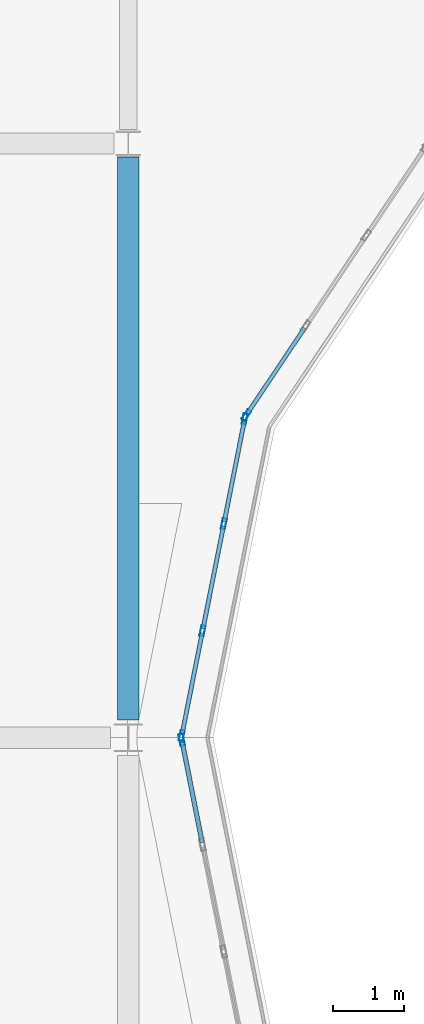
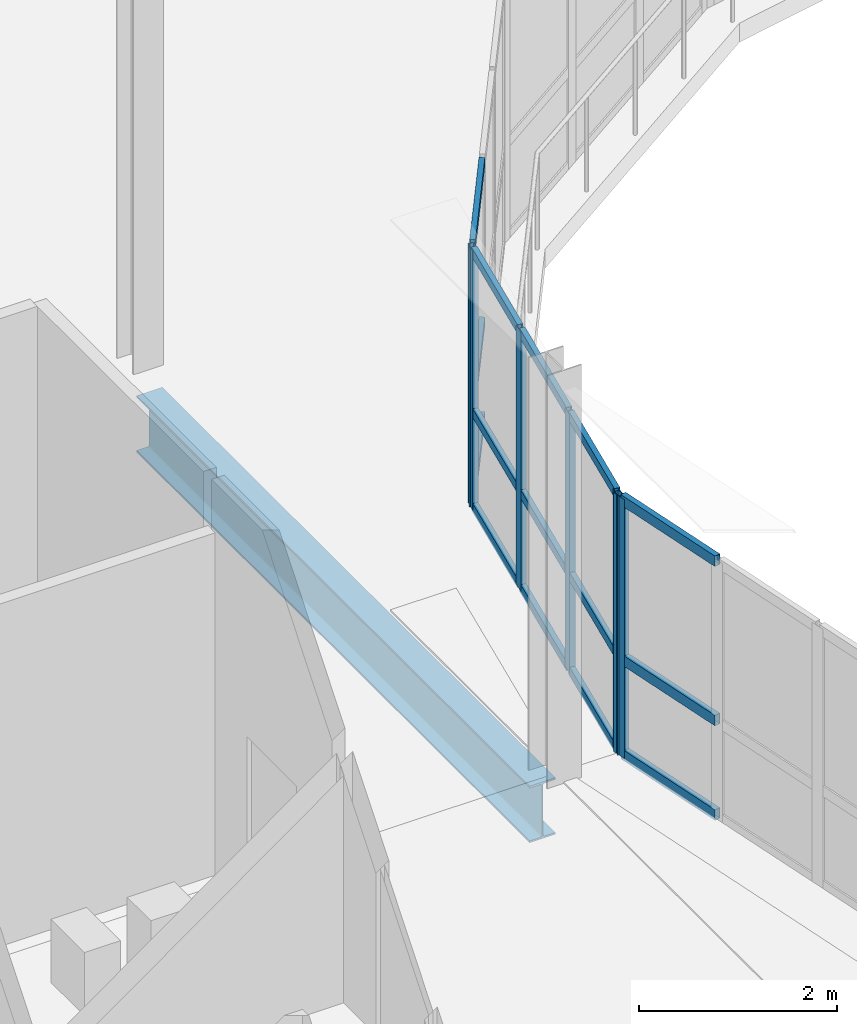
# One storey, part 17 of 103: 21 members, 1 beam, 3 elements without a shape of their own.
"""IFC4 building model written with IfcOpenShell, lengths in metres."""

import ifcopenshell
import ifcopenshell.guid

model = None  # the IFC model being written
_history = None  # IfcOwnerHistory: only IFC2X3 demands one
_inside = {}  # id of a spatial element -> (the spatial element, [elements in it])
_under = {}  # id of a project, library or spatial element -> (it, [spatial elements below it])
_declared = {}  # id of a project -> (the project, [libraries it declares])
_typed = {}  # id of a type object -> (the type object, [elements of that type])
_made_of = {}  # id of a material, layer set ... -> (it, [elements and type objects made of it])


def new_model(schema):
    """Start an empty IFC model of exactly this schema.

    Asked for "IFC4X3", IfcOpenShell would pick the latest addendum, in which some entities
    have other attributes; the version numbers below select the first issue.
    IFC2X3 requires an IfcOwnerHistory on every rooted entity: one is made here for all.
    """
    global model, _history
    if schema == "IFC4X3":
        model = ifcopenshell.file(schema_version=(4, 3, 0, 0))
    else:
        model = ifcopenshell.file(schema=schema)
    _inside.clear()
    _under.clear()
    _declared.clear()
    _typed.clear()
    _made_of.clear()
    _history = None
    if model.schema == "IFC2X3":
        org = make("IfcOrganization", Name="unknown")
        user = make(
            "IfcPersonAndOrganization",
            ThePerson=make("IfcPerson", FamilyName="unknown"),
            TheOrganization=org,
        )
        app = make(
            "IfcApplication",
            ApplicationDeveloper=org,
            Version="unknown",
            ApplicationFullName="unknown",
            ApplicationIdentifier="unknown",
        )
        _history = make(
            "IfcOwnerHistory",
            OwningUser=user,
            OwningApplication=app,
            ChangeAction="ADDED",
            CreationDate=0,
        )
    return model


def make(cls, **values):
    """One entity of the class cls with the attributes given. An attribute that is None is left unset."""
    return model.create_entity(
        cls, **{name: value for name, value in values.items() if value is not None}
    )


def rooted(cls, **values):
    """An entity with a GlobalId (a new one), such as an element, a storey or a relation."""
    return make(cls, GlobalId=ifcopenshell.guid.new(), OwnerHistory=_history, **values)


def si_unit(unit_type, name, prefix=None):
    """IfcSIUnit, for example si_unit("LENGTHUNIT", "METRE", prefix="MILLI")."""
    return make("IfcSIUnit", UnitType=unit_type, Prefix=prefix, Name=name)


def assignment(units):
    """IfcUnitAssignment: the units of a project."""
    return None if units is None else make("IfcUnitAssignment", Units=units)


def point(xyz):
    """IfcCartesianPoint."""
    return None if xyz is None else make("IfcCartesianPoint", Coordinates=xyz)


def direction(xyz):
    """IfcDirection."""
    return None if xyz is None else make("IfcDirection", DirectionRatios=xyz)


def frame(location, z_axis=None, x_axis=None):
    """IfcAxis2Placement3D, a coordinate frame: its origin and axes. An axis left out is left unset."""
    return make(
        "IfcAxis2Placement3D",
        Location=point(location),
        Axis=direction(z_axis),
        RefDirection=direction(x_axis),
    )


def frame_2d(location, x_axis=None):
    """IfcAxis2Placement2D, a coordinate frame in the plane: its origin and x axis."""
    return make(
        "IfcAxis2Placement2D", Location=point(location), RefDirection=direction(x_axis)
    )


def origin():
    """The frame at (0, 0, 0) with its axes left unset."""
    return frame((0.0, 0.0, 0.0))


def origin_2d():
    """The frame at (0, 0) in the plane with its x axis left unset."""
    return frame_2d((0.0, 0.0))


def place(relative_to, where):
    """IfcLocalPlacement: puts the frame where relative to a parent placement (None: the world)."""
    return make(
        "IfcLocalPlacement", PlacementRelTo=relative_to, RelativePlacement=where
    )


def context(
    kind, dimensions, precision=None, world=None, true_north=None, identifier=None
):
    """IfcGeometricRepresentationContext, for example the 3D "Model" context."""
    return make(
        "IfcGeometricRepresentationContext",
        ContextIdentifier=identifier,
        ContextType=kind,
        CoordinateSpaceDimension=dimensions,
        Precision=precision,
        WorldCoordinateSystem=world,
        TrueNorth=true_north,
    )


def subcontext(parent, identifier, kind, view, scale=None):
    """IfcGeometricRepresentationSubContext, for example "Body" below "Model"."""
    return make(
        "IfcGeometricRepresentationSubContext",
        ContextIdentifier=identifier,
        ContextType=kind,
        ParentContext=parent,
        TargetScale=scale,
        TargetView=view,
    )


def project(units=None, contexts=None):
    """IfcProject with its units and contexts."""
    return rooted(
        "IfcProject",
        Name="project",
        RepresentationContexts=contexts,
        UnitsInContext=assignment(units),
    )


def spatial(cls, under=None, at=None, **own):
    """A site, building, storey or space (cls), placed at a placement, below another one or the project."""
    s = rooted(cls, ObjectPlacement=at, **own)
    if under is not None:
        _under.setdefault(under.id(), (under, []))[1].append(s)
    return s


def profile(cls, at=None, kind="AREA", **sizes):
    """A parametric profile (cls). Its sizes go by their IFC names, for example OverallWidth=200.0."""
    return make(cls, ProfileType=kind, Position=at, **sizes)


def hollow_rectangle(**sizes):
    """IfcRectangleHollowProfileDef."""
    return profile("IfcRectangleHollowProfileDef", **sizes)


def i_section(**sizes):
    """IfcIShapeProfileDef."""
    return profile("IfcIShapeProfileDef", **sizes)


def extrude(swept, where, along, depth):
    """IfcExtrudedAreaSolid: the profile swept, set in the frame where, extruded along a direction by depth."""
    return make(
        "IfcExtrudedAreaSolid",
        SweptArea=swept,
        Position=where,
        ExtrudedDirection=direction(along),
        Depth=depth,
    )


def shape(context_of_items, identifier, shape_type, items):
    """IfcShapeRepresentation: the items that make up one representation, for example the "Body"."""
    return make(
        "IfcShapeRepresentation",
        ContextOfItems=context_of_items,
        RepresentationIdentifier=identifier,
        RepresentationType=shape_type,
        Items=items,
    )


def material(Name=None, Category=None):
    """IfcMaterial."""
    return make("IfcMaterial", Name=Name, Category=Category)


def layer(
    of_material, thickness, ventilated=None, Name=None, Category=None, Priority=None
):
    """IfcMaterialLayer: one layer of a wall or slab, of a material (None: an air gap)."""
    return make(
        "IfcMaterialLayer",
        Material=of_material,
        LayerThickness=thickness,
        IsVentilated=ventilated,
        Name=Name,
        Category=Category,
        Priority=Priority,
    )


def layer_set(layers, Name=None):
    """IfcMaterialLayerSet."""
    return make("IfcMaterialLayerSet", MaterialLayers=layers, LayerSetName=Name)


def material_profile(
    of_material, cross_section, Name=None, Category=None, Priority=None
):
    """IfcMaterialProfile: a cross section and its material."""
    return make(
        "IfcMaterialProfile",
        Name=Name,
        Material=of_material,
        Profile=cross_section,
        Priority=Priority,
        Category=Category,
    )


def profile_set(profiles, Name=None, composite=None):
    """IfcMaterialProfileSet."""
    return make(
        "IfcMaterialProfileSet",
        Name=Name,
        MaterialProfiles=profiles,
        CompositeProfile=composite,
    )


def made_of(thing, what):
    """Note that an element or type object is made of a material, layer set ...; save() writes the relation."""
    if what is not None:
        _made_of.setdefault(what.id(), (what, []))[1].append(thing)
    return thing


def type_object(cls, material=None, **own):
    """A type object (cls), such as IfcWallType, which elements share."""
    return made_of(rooted(cls, **own), material)


def element(
    cls,
    number,
    at=None,
    inside=None,
    cuts=None,
    type_object=None,
    material=None,
    context=None,
    identifier="Body",
    shape_type=None,
    held_by="IfcProductDefinitionShape",
    body=None,
    shapes=None,
    **own,
):
    """One element of the class cls, such as IfcWall. Its Tag is "e" and its number.

    at: its placement. inside: the storey or other place that contains it. cuts: it is an
    opening in that element (IfcRelVoidsElement). A single representation is given by context,
    identifier, shape_type and body (its items); several are given by shapes. held_by: the class
    of the entity that holds the representations. save() writes the other relations.
    """
    e = rooted(cls, Tag="e%d" % number, ObjectPlacement=at, **own)
    if body is not None:
        shapes = [shape(context, identifier, shape_type, body)]
    if shapes is not None:
        e.Representation = make(held_by, Representations=shapes)
    if inside is not None:
        _inside.setdefault(inside.id(), (inside, []))[1].append(e)
    if cuts is not None:
        rooted(
            "IfcRelVoidsElement", RelatingBuildingElement=cuts, RelatedOpeningElement=e
        )
    if type_object is not None:
        _typed.setdefault(type_object.id(), (type_object, []))[1].append(e)
    return made_of(e, material)


def aggregate(whole, parts):
    """IfcRelAggregates: a whole, such as a stair, and the parts it consists of."""
    return rooted("IfcRelAggregates", RelatingObject=whole, RelatedObjects=parts)


def save(model, path):
    """Write the relations noted so far, then the file.

    IfcRelAggregates (storeys below a building ...), IfcRelContainedInSpatialStructure (elements
    in a storey), IfcRelDefinesByType, IfcRelAssociatesMaterial and IfcRelDeclares: one each for
    every whole, place, type object, material and project.
    """
    for whole, parts in _under.values():
        aggregate(whole, parts)
    for where, things in _inside.values():
        rooted(
            "IfcRelContainedInSpatialStructure",
            RelatedElements=things,
            RelatingStructure=where,
        )
    for kind, things in _typed.values():
        rooted("IfcRelDefinesByType", RelatedObjects=things, RelatingType=kind)
    for what, things in _made_of.values():
        rooted("IfcRelAssociatesMaterial", RelatedObjects=things, RelatingMaterial=what)
    for by, libraries in _declared.values():
        rooted("IfcRelDeclares", RelatingContext=by, RelatedDefinitions=libraries)
    model.write(path)


model = new_model("IFC4")

# Units and contexts
model_context = context("Model", 3, precision=1e-05, world=origin(), true_north=direction((0.0, 1.0)))
body_context = subcontext(model_context, "Body", "Model", "MODEL_VIEW")
ifc_project = project(units=[si_unit("LENGTHUNIT", "METRE"), si_unit("AREAUNIT", "SQUARE_METRE"), si_unit("VOLUMEUNIT", "CUBIC_METRE"), si_unit("PLANEANGLEUNIT", "RADIAN"), si_unit("MASSUNIT", "GRAM", prefix="KILO"), si_unit("THERMODYNAMICTEMPERATUREUNIT", "KELVIN")], contexts=[model_context])

# Site, building, storey
site_placement = place(None, origin())
site = spatial("IfcSite", under=ifc_project, at=site_placement, CompositionType="ELEMENT")
building_placement = place(site_placement, origin())
building = spatial("IfcBuilding", under=site, at=building_placement, Name="Lustrewick Department Store", CompositionType="ELEMENT")
storey_placement = place(building_placement, frame((0.0, 0.0, 16.5)))
storey = spatial("IfcBuildingStorey", under=building, at=storey_placement, Name="L04", CompositionType="ELEMENT", Elevation=16.5)

# Curtain wall, members
ifc_material_1 = material(Name="Thermally broken aluminium 6063-T5", Category="aluminium")
ifc_layer_1 = layer(ifc_material_1, 0.169921875, Name="Thermally broken aluminium 6063-T5")
ifc_layer_set_1 = layer_set([ifc_layer_1], Name="Thermally broken aluminium 6063-T5")
curtain_wall_type_1 = type_object("IfcCurtainWallType", Name="CW16", PredefinedType="NOTDEFINED", material=ifc_layer_set_1)
curtain_wall_1_placement = place(storey_placement, origin())
curtain_wall_1 = element("IfcCurtainWall", 1, at=curtain_wall_1_placement, inside=storey, type_object=curtain_wall_type_1, Name="L04 Atrium Glazed Screen CW16", PredefinedType="NOTDEFINED")
ifc_material_profile_1 = material_profile(ifc_material_1, hollow_rectangle(XDim=0.06494140625, YDim=0.169921875, WallThickness=0.00390625, at=origin_2d()), Name="ALU-M 65x170x4")
ifc_profile_set_1 = profile_set([ifc_material_profile_1], Name="Thermally broken aluminium 6063-T5")
member_type_1 = type_object("IfcMemberType", Name="CW16-M1", PredefinedType="MULLION", material=ifc_profile_set_1)
member_1_placement = place(storey_placement, frame((17.556396484375, 67.168212890625, 0.0), z_axis=(0.0, 0.0, 1.0), x_axis=(0.980786430993, 0.195084537521, 0.0)))
member_1 = element("IfcMember", 2, at=member_1_placement, type_object=member_type_1, Name="CW16 mullion 1", PredefinedType="MULLION", context=body_context, shape_type="SweptSolid", body=[
    extrude(hollow_rectangle(XDim=0.06494140625, YDim=0.169921875, WallThickness=0.00390625, at=origin_2d()), origin(), (0.0, 0.0, 1.0), 3.199951171875),
])
ifc_material_profile_2 = material_profile(ifc_material_1, hollow_rectangle(XDim=0.06494140625, YDim=0.1298828125, WallThickness=0.00341796875, at=origin_2d()), Name="ALU-T 65x130x3.5")
ifc_profile_set_2 = profile_set([ifc_material_profile_2], Name="Thermally broken aluminium 6063-T5")
member_type_2 = type_object("IfcMemberType", Name="CW16-T1", PredefinedType="USERDEFINED", material=ifc_profile_set_2)
member_2_placement = place(storey_placement, frame((17.562744140625, 67.13623046875, 0.032470703125), z_axis=(0.19497779785, -0.980807656141, 0.0), x_axis=(0.980807656141, 0.19497779785, 0.0)))
member_2 = element("IfcMember", 3, at=member_2_placement, type_object=member_type_2, Name="CW16 transom 1.1", ObjectType="TRANSOM", PredefinedType="USERDEFINED", context=body_context, shape_type="SweptSolid", body=[
    extrude(hollow_rectangle(XDim=0.06494140625, YDim=0.1298828125, WallThickness=0.00341796875, at=origin_2d()), origin(), (0.0, 0.0, 1.0), 1.443603515625),
])
member_3_placement = place(storey_placement, frame((17.562744140625, 67.13623046875, 1.199951171875), z_axis=(0.19497779785, -0.980807656141, 0.0), x_axis=(0.980807656141, 0.19497779785, 0.0)))
member_3 = element("IfcMember", 4, at=member_3_placement, type_object=member_type_2, Name="CW16 transom 1.2", ObjectType="TRANSOM", PredefinedType="USERDEFINED", context=body_context, shape_type="SweptSolid", body=[
    extrude(hollow_rectangle(XDim=0.06494140625, YDim=0.1298828125, WallThickness=0.00341796875, at=origin_2d()), origin(), (0.0, 0.0, 1.0), 1.443603515625),
])
member_4_placement = place(storey_placement, frame((17.562744140625, 67.13623046875, 3.16748046875), z_axis=(0.19497779785, -0.980807656141, 0.0), x_axis=(0.980807656141, 0.19497779785, 0.0)))
member_4 = element("IfcMember", 5, at=member_4_placement, type_object=member_type_2, Name="CW16 transom 1.3", ObjectType="TRANSOM", PredefinedType="USERDEFINED", context=body_context, shape_type="SweptSolid", body=[
    extrude(hollow_rectangle(XDim=0.06494140625, YDim=0.1298828125, WallThickness=0.00341796875, at=origin_2d()), origin(), (0.0, 0.0, 1.0), 1.443603515625),
])
aggregate(curtain_wall_1, [member_1, member_2, member_3, member_4])

ifc_layer_2 = layer(ifc_material_1, 0.159912109375, Name="Thermally broken aluminium 6063-T5")
ifc_layer_set_2 = layer_set([ifc_layer_2], Name="Thermally broken aluminium 6063-T5")
curtain_wall_type_2 = type_object("IfcCurtainWallType", Name="CW17", PredefinedType="NOTDEFINED", material=ifc_layer_set_2)
curtain_wall_2_placement = place(storey_placement, origin())
curtain_wall_2 = element("IfcCurtainWall", 6, at=curtain_wall_2_placement, inside=storey, type_object=curtain_wall_type_2, Name="L04 Atrium Glazed Screen CW17", PredefinedType="NOTDEFINED")
ifc_material_profile_3 = material_profile(ifc_material_1, hollow_rectangle(XDim=0.06005859375, YDim=0.159912109375, WallThickness=0.00390625, at=origin_2d()), Name="ALU-M 60x160x4")
ifc_profile_set_3 = profile_set([ifc_material_profile_3], Name="Thermally broken aluminium 6063-T5")
member_type_3 = type_object("IfcMemberType", Name="CW17-M1", PredefinedType="MULLION", material=ifc_profile_set_3)
member_5_placement = place(storey_placement, frame((18.46875, 71.759765625, 0.0), z_axis=(0.0, 0.0, 1.0), x_axis=(0.831464212799, -0.555578313862, 0.0)))
member_5 = element("IfcMember", 7, at=member_5_placement, type_object=member_type_3, Name="CW17 mullion 4", PredefinedType="MULLION", context=body_context, shape_type="SweptSolid", body=[
    extrude(hollow_rectangle(XDim=0.06005859375, YDim=0.159912109375, WallThickness=0.00390625, at=origin_2d()), origin(), (0.0, 0.0, 1.0), 3.199951171875),
])
ifc_material_profile_4 = material_profile(ifc_material_1, hollow_rectangle(XDim=0.06005859375, YDim=0.1201171875, WallThickness=0.00341796875, at=origin_2d()), Name="ALU-T 60x120x3.5")
ifc_profile_set_4 = profile_set([ifc_material_profile_4], Name="Thermally broken aluminium 6063-T5")
member_type_4 = type_object("IfcMemberType", Name="CW17-T1", PredefinedType="USERDEFINED", material=ifc_profile_set_4)
member_6_placement = place(storey_placement, frame((19.29150390625, 72.9912109375, 0.030029296875), z_axis=(-0.555554084832, -0.83148040195, 0.0), x_axis=(0.83148040195, -0.555554084832, 0.0)))
member_6 = element("IfcMember", 8, at=member_6_placement, type_object=member_type_4, Name="CW17 transom 3.1", ObjectType="TRANSOM", PredefinedType="USERDEFINED", context=body_context, shape_type="SweptSolid", body=[
    extrude(hollow_rectangle(XDim=0.06005859375, YDim=0.1201171875, WallThickness=0.00341796875, at=origin_2d()), origin(), (0.0, 0.0, 1.0), 1.451171875),
])
member_7_placement = place(storey_placement, frame((19.29150390625, 72.9912109375, 1.199951171875), z_axis=(-0.555554084832, -0.83148040195, 0.0), x_axis=(0.83148040195, -0.555554084832, 0.0)))
member_7 = element("IfcMember", 9, at=member_7_placement, type_object=member_type_4, Name="CW17 transom 3.2", ObjectType="TRANSOM", PredefinedType="USERDEFINED", context=body_context, shape_type="SweptSolid", body=[
    extrude(hollow_rectangle(XDim=0.06005859375, YDim=0.1201171875, WallThickness=0.00341796875, at=origin_2d()), origin(), (0.0, 0.0, 1.0), 1.451171875),
])
member_8_placement = place(storey_placement, frame((19.29150390625, 72.9912109375, 3.169921875), z_axis=(-0.555554084832, -0.83148040195, 0.0), x_axis=(0.83148040195, -0.555554084832, 0.0)))
member_8 = element("IfcMember", 10, at=member_8_placement, type_object=member_type_4, Name="CW17 transom 3.3", ObjectType="TRANSOM", PredefinedType="USERDEFINED", context=body_context, shape_type="SweptSolid", body=[
    extrude(hollow_rectangle(XDim=0.06005859375, YDim=0.1201171875, WallThickness=0.00341796875, at=origin_2d()), origin(), (0.0, 0.0, 1.0), 1.451171875),
])
aggregate(curtain_wall_2, [member_5, member_6, member_7, member_8])

ifc_layer_3 = layer(ifc_material_1, 0.14990234375, Name="Thermally broken aluminium 6063-T5")
ifc_layer_set_3 = layer_set([ifc_layer_3], Name="Thermally broken aluminium 6063-T5")
curtain_wall_type_3 = type_object("IfcCurtainWallType", Name="CW18", PredefinedType="NOTDEFINED", material=ifc_layer_set_3)
curtain_wall_3_placement = place(storey_placement, origin())
curtain_wall_3 = element("IfcCurtainWall", 11, at=curtain_wall_3_placement, inside=storey, type_object=curtain_wall_type_3, Name="L04 Atrium Glazed Screen CW18", PredefinedType="NOTDEFINED")
ifc_material_profile_5 = material_profile(ifc_material_1, hollow_rectangle(XDim=0.06005859375, YDim=0.14990234375, WallThickness=0.00341796875, at=origin_2d()), Name="ALU-M 60x150x3.5")
ifc_profile_set_5 = profile_set([ifc_material_profile_5], Name="Thermally broken aluminium 6063-T5")
member_type_5 = type_object("IfcMemberType", Name="CW18-M1", PredefinedType="MULLION", material=ifc_profile_set_5)
member_9_placement = place(storey_placement, frame((18.446044921875, 71.705322265625, 0.0), z_axis=(0.0, 0.0, 1.0), x_axis=(0.980786430993, -0.195084537521, 0.0)))
member_9 = element("IfcMember", 12, at=member_9_placement, type_object=member_type_5, Name="CW18 mullion 1", PredefinedType="MULLION", context=body_context, shape_type="SweptSolid", body=[
    extrude(hollow_rectangle(XDim=0.06005859375, YDim=0.14990234375, WallThickness=0.00341796875, at=origin_2d()), origin(), (0.0, 0.0, 1.0), 3.199951171875),
])
member_10_placement = place(storey_placement, frame((18.1513671875, 70.22314453125, 0.0), z_axis=(0.0, 0.0, 1.0), x_axis=(0.980786430993, -0.195084537521, 0.0)))
member_10 = element("IfcMember", 13, at=member_10_placement, type_object=member_type_5, Name="CW18 mullion 2", PredefinedType="MULLION", context=body_context, shape_type="SweptSolid", body=[
    extrude(hollow_rectangle(XDim=0.06005859375, YDim=0.14990234375, WallThickness=0.00341796875, at=origin_2d()), origin(), (0.0, 0.0, 1.0), 3.199951171875),
])
member_11_placement = place(storey_placement, frame((17.8505859375, 68.711669921875, 0.0), z_axis=(0.0, 0.0, 1.0), x_axis=(0.980786430993, -0.195084537521, 0.0)))
member_11 = element("IfcMember", 14, at=member_11_placement, type_object=member_type_5, Name="CW18 mullion 3", PredefinedType="MULLION", context=body_context, shape_type="SweptSolid", body=[
    extrude(hollow_rectangle(XDim=0.06005859375, YDim=0.14990234375, WallThickness=0.00341796875, at=origin_2d()), origin(), (0.0, 0.0, 1.0), 3.199951171875),
])
member_12_placement = place(storey_placement, frame((17.555908203125, 67.2294921875, 0.0), z_axis=(0.0, 0.0, 1.0), x_axis=(0.980786430993, -0.195084537521, 0.0)))
member_12 = element("IfcMember", 15, at=member_12_placement, type_object=member_type_5, Name="CW18 mullion 4", PredefinedType="MULLION", context=body_context, shape_type="SweptSolid", body=[
    extrude(hollow_rectangle(XDim=0.06005859375, YDim=0.14990234375, WallThickness=0.00341796875, at=origin_2d()), origin(), (0.0, 0.0, 1.0), 3.199951171875),
])
ifc_material_profile_6 = material_profile(ifc_material_1, hollow_rectangle(XDim=0.06005859375, YDim=0.110107421875, WallThickness=0.0029296875, at=origin_2d()), Name="ALU-T 60x110x3")
ifc_profile_set_6 = profile_set([ifc_material_profile_6], Name="Thermally broken aluminium 6063-T5")
member_type_6 = type_object("IfcMemberType", Name="CW18-T1", PredefinedType="USERDEFINED", material=ifc_profile_set_6)
member_13_placement = place(storey_placement, frame((18.440185546875, 71.676025390625, 0.030029296875), z_axis=(-0.194983657525, -0.98080649126, 0.0), x_axis=(0.98080649126, -0.194983657525, 0.0)))
member_13 = element("IfcMember", 16, at=member_13_placement, type_object=member_type_6, Name="CW18 transom 1.1", ObjectType="TRANSOM", PredefinedType="USERDEFINED", context=body_context, shape_type="SweptSolid", body=[
    extrude(hollow_rectangle(XDim=0.06005859375, YDim=0.110107421875, WallThickness=0.0029296875, at=origin_2d()), origin(), (0.0, 0.0, 1.0), 1.451171875),
])
member_14_placement = place(storey_placement, frame((18.440185546875, 71.676025390625, 1.199951171875), z_axis=(-0.194983657525, -0.98080649126, 0.0), x_axis=(0.98080649126, -0.194983657525, 0.0)))
member_14 = element("IfcMember", 17, at=member_14_placement, type_object=member_type_6, Name="CW18 transom 1.2", ObjectType="TRANSOM", PredefinedType="USERDEFINED", context=body_context, shape_type="SweptSolid", body=[
    extrude(hollow_rectangle(XDim=0.06005859375, YDim=0.110107421875, WallThickness=0.0029296875, at=origin_2d()), origin(), (0.0, 0.0, 1.0), 1.451171875),
])
member_15_placement = place(storey_placement, frame((18.440185546875, 71.676025390625, 3.169921875), z_axis=(-0.194983657525, -0.98080649126, 0.0), x_axis=(0.98080649126, -0.194983657525, 0.0)))
member_15 = element("IfcMember", 18, at=member_15_placement, type_object=member_type_6, Name="CW18 transom 1.3", ObjectType="TRANSOM", PredefinedType="USERDEFINED", context=body_context, shape_type="SweptSolid", body=[
    extrude(hollow_rectangle(XDim=0.06005859375, YDim=0.110107421875, WallThickness=0.0029296875, at=origin_2d()), origin(), (0.0, 0.0, 1.0), 1.451171875),
])
member_16_placement = place(storey_placement, frame((18.1455078125, 70.19384765625, 0.030029296875), z_axis=(-0.195133523177, -0.980776686169, 0.0), x_axis=(0.980776686169, -0.195133523177, 0.0)))
member_16 = element("IfcMember", 19, at=member_16_placement, type_object=member_type_6, Name="CW18 transom 2.1", ObjectType="TRANSOM", PredefinedType="USERDEFINED", context=body_context, shape_type="SweptSolid", body=[
    extrude(hollow_rectangle(XDim=0.06005859375, YDim=0.110107421875, WallThickness=0.0029296875, at=origin_2d()), origin(), (0.0, 0.0, 1.0), 1.4814453125),
])
member_17_placement = place(storey_placement, frame((18.1455078125, 70.19384765625, 1.199951171875), z_axis=(-0.195133523177, -0.980776686169, 0.0), x_axis=(0.980776686169, -0.195133523177, 0.0)))
member_17 = element("IfcMember", 20, at=member_17_placement, type_object=member_type_6, Name="CW18 transom 2.2", ObjectType="TRANSOM", PredefinedType="USERDEFINED", context=body_context, shape_type="SweptSolid", body=[
    extrude(hollow_rectangle(XDim=0.06005859375, YDim=0.110107421875, WallThickness=0.0029296875, at=origin_2d()), origin(), (0.0, 0.0, 1.0), 1.4814453125),
])
member_18_placement = place(storey_placement, frame((18.1455078125, 70.19384765625, 3.169921875), z_axis=(-0.195133523177, -0.980776686169, 0.0), x_axis=(0.980776686169, -0.195133523177, 0.0)))
member_18 = element("IfcMember", 21, at=member_18_placement, type_object=member_type_6, Name="CW18 transom 2.3", ObjectType="TRANSOM", PredefinedType="USERDEFINED", context=body_context, shape_type="SweptSolid", body=[
    extrude(hollow_rectangle(XDim=0.06005859375, YDim=0.110107421875, WallThickness=0.0029296875, at=origin_2d()), origin(), (0.0, 0.0, 1.0), 1.4814453125),
])
member_19_placement = place(storey_placement, frame((17.8447265625, 68.68212890625, 0.030029296875), z_axis=(-0.194983657525, -0.98080649126, 0.0), x_axis=(0.98080649126, -0.194983657525, 0.0)))
member_19 = element("IfcMember", 22, at=member_19_placement, type_object=member_type_6, Name="CW18 transom 3.1", ObjectType="TRANSOM", PredefinedType="USERDEFINED", context=body_context, shape_type="SweptSolid", body=[
    extrude(hollow_rectangle(XDim=0.06005859375, YDim=0.110107421875, WallThickness=0.0029296875, at=origin_2d()), origin(), (0.0, 0.0, 1.0), 1.451171875),
])
member_20_placement = place(storey_placement, frame((17.8447265625, 68.68212890625, 1.199951171875), z_axis=(-0.194983657525, -0.98080649126, 0.0), x_axis=(0.98080649126, -0.194983657525, 0.0)))
member_20 = element("IfcMember", 23, at=member_20_placement, type_object=member_type_6, Name="CW18 transom 3.2", ObjectType="TRANSOM", PredefinedType="USERDEFINED", context=body_context, shape_type="SweptSolid", body=[
    extrude(hollow_rectangle(XDim=0.06005859375, YDim=0.110107421875, WallThickness=0.0029296875, at=origin_2d()), origin(), (0.0, 0.0, 1.0), 1.451171875),
])
member_21_placement = place(storey_placement, frame((17.8447265625, 68.68212890625, 3.169921875), z_axis=(-0.194983657525, -0.98080649126, 0.0), x_axis=(0.98080649126, -0.194983657525, 0.0)))
member_21 = element("IfcMember", 24, at=member_21_placement, type_object=member_type_6, Name="CW18 transom 3.3", ObjectType="TRANSOM", PredefinedType="USERDEFINED", context=body_context, shape_type="SweptSolid", body=[
    extrude(hollow_rectangle(XDim=0.06005859375, YDim=0.110107421875, WallThickness=0.0029296875, at=origin_2d()), origin(), (0.0, 0.0, 1.0), 1.451171875),
])
aggregate(curtain_wall_3, [member_9, member_10, member_11, member_12, member_13, member_14, member_15, member_16, member_17, member_18, member_19, member_20, member_21])

# Beam
ifc_material_2 = material(Name="Structural steel Q355B", Category="steel")
ifc_material_profile_7 = material_profile(ifc_material_2, i_section(OverallWidth=0.300048828125, OverallDepth=0.699951171875, WebThickness=0.012939453125, FlangeThickness=0.02392578125, FilletRadius=0.02001953125, at=origin_2d()), Name="HN 700x300x13x24")
ifc_profile_set_7 = profile_set([ifc_material_profile_7], Name="Structural steel Q355B")
beam_type = type_object("IfcBeamType", Name="G08", PredefinedType="BEAM", material=ifc_profile_set_7)
beam_placement = place(storey_placement, frame((16.800048828125, 67.449951171875, -0.60498046875), z_axis=(0.0, 1.0, 0.0), x_axis=(-1.0, 0.0, 0.0)))
element("IfcBeam", 25, at=beam_placement, inside=storey, type_object=beam_type, Name="L04 V1 Girder G08", PredefinedType="BEAM", context=body_context, shape_type="SweptSolid", body=[
    extrude(i_section(OverallWidth=0.300048828125, OverallDepth=0.699951171875, WebThickness=0.012939453125, FlangeThickness=0.02392578125, FilletRadius=0.02001953125, at=origin_2d()), origin(), (0.0, 0.0, 1.0), 7.9560546875),
])

save(model, "model.ifc")
